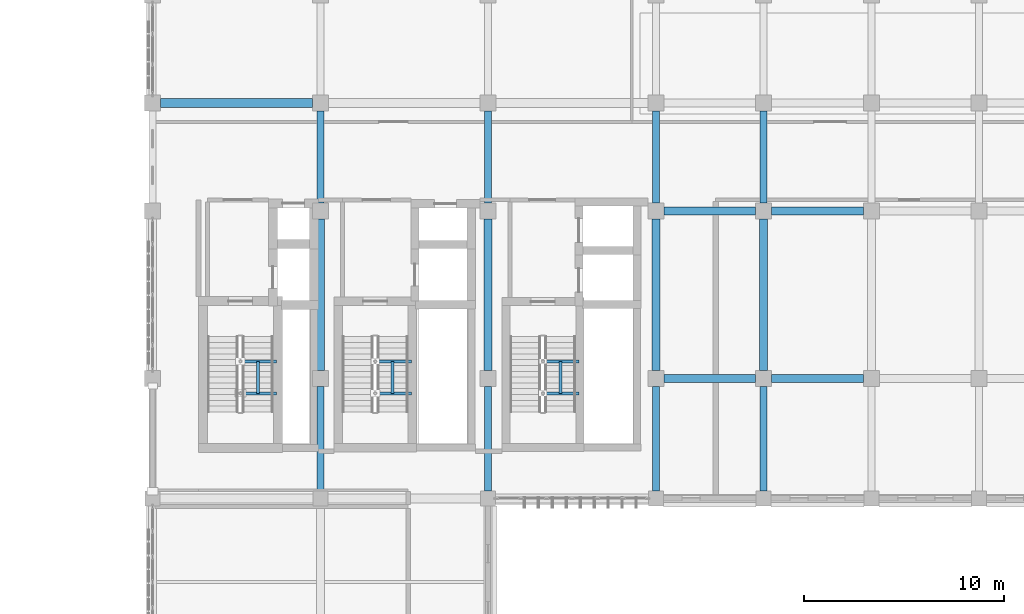
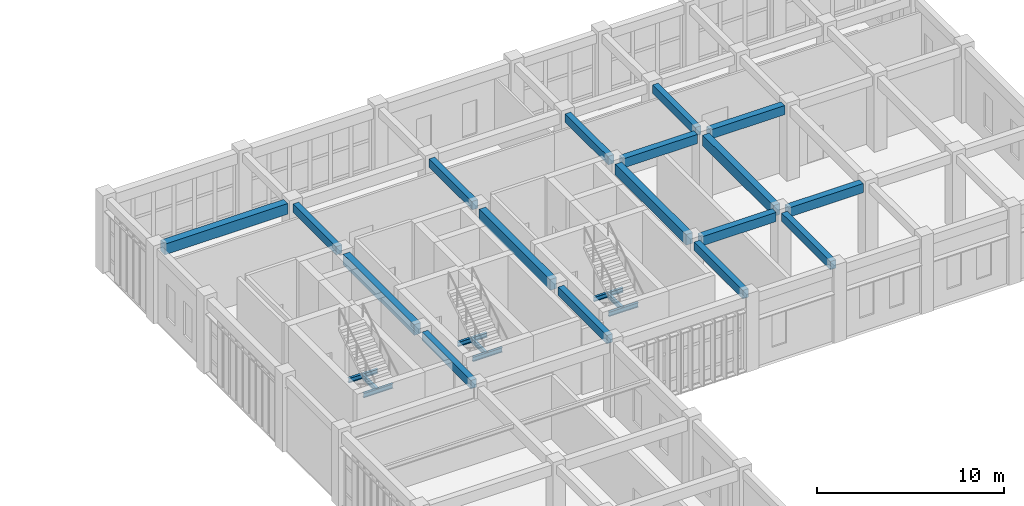
# One storey, part 39 of 77: 26 beams.
"""IFC4 building model written with IfcOpenShell, lengths in metres."""

from ifc_helpers import new_model, si_unit, direction, frame, origin, origin_2d, place, context, subcontext, project, spatial, rectangle, i_section, extrude, material, material_profile, profile_set, type_object, element, save


model = new_model("IFC4")

# Units and contexts
model_context = context("Model", 3, precision=1e-05, world=origin(), true_north=direction((0.0, 1.0)))
body_context = subcontext(model_context, "Body", "Model", "MODEL_VIEW")
ifc_project = project(units=[si_unit("LENGTHUNIT", "METRE"), si_unit("AREAUNIT", "SQUARE_METRE"), si_unit("VOLUMEUNIT", "CUBIC_METRE"), si_unit("PLANEANGLEUNIT", "RADIAN"), si_unit("MASSUNIT", "GRAM", prefix="KILO")], contexts=[model_context])

# Site, building, storey
site_placement = place(None, origin())
site = spatial("IfcSite", under=ifc_project, at=site_placement, CompositionType="ELEMENT")
building_placement = place(site_placement, origin())
building = spatial("IfcBuilding", under=site, at=building_placement, Name="Krzemoval Escarpment Law Courts", CompositionType="ELEMENT")
storey_placement = place(building_placement, frame((0.0, 0.0, 15.300048828125)))
storey = spatial("IfcBuildingStorey", under=building, at=storey_placement, Name="L03", CompositionType="ELEMENT", Elevation=15.300048828125)

# Beams
ifc_material_1 = material(Name="Concrete C40/50", Category="concrete")
ifc_material_profile_1 = material_profile(ifc_material_1, rectangle(XDim=0.35009765625, YDim=0.550048828125, at=origin_2d()), Name="RCB 350x550")
ifc_profile_set_1 = profile_set([ifc_material_profile_1], Name="Concrete C40/50")
beam_type_1 = type_object("IfcBeamType", Name="BM-RC-350x550", PredefinedType="BEAM", material=ifc_profile_set_1)
beam_1_placement = place(storey_placement, frame((134.39990234375, 93.97509765625, 4.56494140625), z_axis=(0.0, 1.0, 0.0), x_axis=(-1.0, 0.0, 0.0)))
element("IfcBeam", 1, at=beam_1_placement, inside=storey, type_object=beam_type_1, Name="Beam FG-L03-2322", PredefinedType="BEAM", context=body_context, shape_type="SweptSolid", body=[
    extrude(rectangle(XDim=0.35009765625, YDim=0.550048828125, at=origin_2d()), origin(), (0.0, 0.0, 1.0), 5.224853515625),
])
beam_2_placement = place(storey_placement, frame((134.39990234375, 108.39990234375, 4.56494140625), z_axis=(0.0, 1.0, 0.0), x_axis=(-1.0, 0.0, 0.0)))
element("IfcBeam", 2, at=beam_2_placement, inside=storey, type_object=beam_type_1, Name="Beam FG-L03-2324", PredefinedType="BEAM", context=body_context, shape_type="SweptSolid", body=[
    extrude(rectangle(XDim=0.35009765625, YDim=0.550048828125, at=origin_2d()), origin(), (0.0, 0.0, 1.0), 4.60009765625),
])
beam_3_placement = place(storey_placement, frame((142.800048828125, 93.97509765625, 4.56494140625), z_axis=(0.0, 1.0, 0.0), x_axis=(-1.0, 0.0, 0.0)))
element("IfcBeam", 3, at=beam_3_placement, inside=storey, type_object=beam_type_1, Name="Beam FG-L03-2333", PredefinedType="BEAM", context=body_context, shape_type="SweptSolid", body=[
    extrude(rectangle(XDim=0.35009765625, YDim=0.550048828125, at=origin_2d()), origin(), (0.0, 0.0, 1.0), 5.224853515625),
])
beam_4_placement = place(storey_placement, frame((142.800048828125, 108.39990234375, 4.56494140625), z_axis=(0.0, 1.0, 0.0), x_axis=(-1.0, 0.0, 0.0)))
element("IfcBeam", 4, at=beam_4_placement, inside=storey, type_object=beam_type_1, Name="Beam FG-L03-2335", PredefinedType="BEAM", context=body_context, shape_type="SweptSolid", body=[
    extrude(rectangle(XDim=0.35009765625, YDim=0.550048828125, at=origin_2d()), origin(), (0.0, 0.0, 1.0), 4.60009765625),
])
beam_5_placement = place(storey_placement, frame((151.199951171875, 93.97509765625, 4.56494140625), z_axis=(0.0, 1.0, 0.0), x_axis=(-1.0, 0.0, 0.0)))
element("IfcBeam", 5, at=beam_5_placement, inside=storey, type_object=beam_type_1, Name="Beam FG-L03-2341", PredefinedType="BEAM", context=body_context, shape_type="SweptSolid", body=[
    extrude(rectangle(XDim=0.35009765625, YDim=0.550048828125, at=origin_2d()), origin(), (0.0, 0.0, 1.0), 5.224853515625),
])
beam_6_placement = place(storey_placement, frame((151.199951171875, 108.39990234375, 4.56494140625), z_axis=(0.0, 1.0, 0.0), x_axis=(-1.0, 0.0, 0.0)))
element("IfcBeam", 6, at=beam_6_placement, inside=storey, type_object=beam_type_1, Name="Beam FG-L03-2343", PredefinedType="BEAM", context=body_context, shape_type="SweptSolid", body=[
    extrude(rectangle(XDim=0.35009765625, YDim=0.550048828125, at=origin_2d()), origin(), (0.0, 0.0, 1.0), 4.60009765625),
])
beam_7_placement = place(storey_placement, frame((156.60009765625, 93.97509765625, 4.56494140625), z_axis=(0.0, 1.0, 0.0), x_axis=(-1.0, 0.0, 0.0)))
element("IfcBeam", 7, at=beam_7_placement, inside=storey, type_object=beam_type_1, Name="Beam FG-L03-2345", PredefinedType="BEAM", context=body_context, shape_type="SweptSolid", body=[
    extrude(rectangle(XDim=0.35009765625, YDim=0.550048828125, at=origin_2d()), origin(), (0.0, 0.0, 1.0), 5.224853515625),
])
beam_8_placement = place(storey_placement, frame((156.60009765625, 108.39990234375, 4.56494140625), z_axis=(0.0, 1.0, 0.0), x_axis=(-1.0, 0.0, 0.0)))
element("IfcBeam", 8, at=beam_8_placement, inside=storey, type_object=beam_type_1, Name="Beam FG-L03-2347", PredefinedType="BEAM", context=body_context, shape_type="SweptSolid", body=[
    extrude(rectangle(XDim=0.35009765625, YDim=0.550048828125, at=origin_2d()), origin(), (0.0, 0.0, 1.0), 4.60009765625),
])
ifc_material_2 = material(Name="Concrete C40/50", Category="concrete")
ifc_material_profile_2 = material_profile(ifc_material_2, rectangle(XDim=0.39990234375, YDim=0.60009765625, at=origin_2d()), Name="RCB 400x600")
ifc_profile_set_2 = profile_set([ifc_material_profile_2], Name="Concrete C40/50")
beam_type_2 = type_object("IfcBeamType", Name="BM-RC-400x600", PredefinedType="BEAM", material=ifc_profile_set_2)
beam_9_placement = place(storey_placement, frame((151.60009765625, 99.60009765625, 4.5400390625), z_axis=(1.0, 0.0, 0.0), x_axis=(0.0, 1.0, 0.0)))
element("IfcBeam", 9, at=beam_9_placement, inside=storey, type_object=beam_type_2, Name="Beam FG-L03-2193", PredefinedType="BEAM", context=body_context, shape_type="SweptSolid", body=[
    extrude(rectangle(XDim=0.39990234375, YDim=0.60009765625, at=origin_2d()), origin(), (0.0, 0.0, 1.0), 4.599853515625),
])
beam_10_placement = place(storey_placement, frame((157.0, 99.60009765625, 4.5400390625), z_axis=(1.0, 0.0, 0.0), x_axis=(0.0, 1.0, 0.0)))
element("IfcBeam", 10, at=beam_10_placement, inside=storey, type_object=beam_type_2, Name="Beam FG-L03-2194", PredefinedType="BEAM", context=body_context, shape_type="SweptSolid", body=[
    extrude(rectangle(XDim=0.39990234375, YDim=0.60009765625, at=origin_2d()), origin(), (0.0, 0.0, 1.0), 4.60009765625),
])
beam_11_placement = place(storey_placement, frame((151.60009765625, 108.0, 4.5400390625), z_axis=(1.0, 0.0, 0.0), x_axis=(0.0, 1.0, 0.0)))
element("IfcBeam", 11, at=beam_11_placement, inside=storey, type_object=beam_type_2, Name="Beam FG-L03-2197", PredefinedType="BEAM", context=body_context, shape_type="SweptSolid", body=[
    extrude(rectangle(XDim=0.39990234375, YDim=0.60009765625, at=origin_2d()), origin(), (0.0, 0.0, 1.0), 4.599853515625),
])
beam_12_placement = place(storey_placement, frame((157.0, 108.0, 4.5400390625), z_axis=(1.0, 0.0, 0.0), x_axis=(0.0, 1.0, 0.0)))
element("IfcBeam", 12, at=beam_12_placement, inside=storey, type_object=beam_type_2, Name="Beam FG-L03-2198", PredefinedType="BEAM", context=body_context, shape_type="SweptSolid", body=[
    extrude(rectangle(XDim=0.39990234375, YDim=0.60009765625, at=origin_2d()), origin(), (0.0, 0.0, 1.0), 4.60009765625),
])
ifc_material_3 = material(Name="Concrete C40/50", Category="concrete")
ifc_material_profile_3 = material_profile(ifc_material_3, rectangle(XDim=0.39990234375, YDim=0.699951171875, at=origin_2d()), Name="RCB 400x700")
ifc_profile_set_3 = profile_set([ifc_material_profile_3], Name="Concrete C40/50")
beam_type_3 = type_object("IfcBeamType", Name="BM-RC-400x700", PredefinedType="BEAM", material=ifc_profile_set_3)
for number, where, z_axis, x_axis, name in (
    (13, (134.39990234375, 100.0, 4.489990234375), (0.0, 1.0, 0.0), (-1.0, 0.0, 0.0), "Beam FG-L03-2323"),
    (14, (142.800048828125, 100.0, 4.489990234375), (0.0, 1.0, 0.0), (-1.0, 0.0, 0.0), "Beam FG-L03-2334"),
    (15, (151.199951171875, 100.0, 4.489990234375), (0.0, 1.0, 0.0), (-1.0, 0.0, 0.0), "Beam FG-L03-2342"),
    (16, (156.60009765625, 100.0, 4.489990234375), (0.0, 1.0, 0.0), (-1.0, 0.0, 0.0), "Beam FG-L03-2346"),
):
    element("IfcBeam", number, at=place(storey_placement, frame(where, z_axis=z_axis, x_axis=x_axis)), inside=storey, type_object=beam_type_3, Name=name, PredefinedType="BEAM", context=body_context, shape_type="SweptSolid", body=[
        extrude(rectangle(XDim=0.39990234375, YDim=0.699951171875, at=origin_2d()), origin(), (0.0, 0.0, 1.0), 7.60009765625),
    ])
ifc_material_4 = material(Name="Concrete C40/50", Category="concrete")
ifc_material_profile_4 = material_profile(ifc_material_4, rectangle(XDim=0.449951171875, YDim=0.699951171875, at=origin_2d()), Name="RCB 450x700")
ifc_profile_set_4 = profile_set([ifc_material_profile_4], Name="Concrete C40/50")
beam_type_4 = type_object("IfcBeamType", Name="BM-RC-450x700", PredefinedType="BEAM", material=ifc_profile_set_4)
beam_13_placement = place(storey_placement, frame((126.39990234375, 113.39990234375, 4.489990234375), z_axis=(1.0, 0.0, 0.0), x_axis=(0.0, 1.0, 0.0)))
element("IfcBeam", 17, at=beam_13_placement, inside=storey, type_object=beam_type_4, Name="Beam FG-L03-2201", PredefinedType="BEAM", context=body_context, shape_type="SweptSolid", body=[
    extrude(rectangle(XDim=0.449951171875, YDim=0.699951171875, at=origin_2d()), origin(), (0.0, 0.0, 1.0), 7.60009765625),
])
ifc_material_5 = material(Name="Steel S355", Category="steel")
ifc_material_profile_5 = material_profile(ifc_material_5, i_section(OverallWidth=0.14990234375, OverallDepth=0.300048828125, WebThickness=0.007080078125, FlangeThickness=0.0107421875, at=origin_2d()), Name="IPE 300")
ifc_profile_set_5 = profile_set([ifc_material_profile_5], Name="Steel S355")
beam_type_5 = type_object("IfcBeamType", Name="JST-S355-IPE300", PredefinedType="JOIST", material=ifc_profile_set_5)
for number, where, z_axis, x_axis, name in (
    (18, (130.39990234375, 98.860107421875, 2.27001953125), (1.0, 0.0, 0.0), (0.0, 1.0, 0.0), "Stair Well Crosshead SLHW-C1-L03-1"),
    (19, (130.39990234375, 100.4599609375, 2.27001953125), (1.0, 0.0, 0.0), (0.0, 1.0, 0.0), "Stair Well Crosshead SLHW-C1-L03-2"),
):
    element("IfcBeam", number, at=place(storey_placement, frame(where, z_axis=z_axis, x_axis=x_axis)), inside=storey, type_object=beam_type_5, Name=name, PredefinedType="JOIST", context=body_context, shape_type="SweptSolid", body=[
        extrude(i_section(OverallWidth=0.14990234375, OverallDepth=0.300048828125, WebThickness=0.007080078125, FlangeThickness=0.0107421875, at=origin_2d()), origin(), (0.0, 0.0, 1.0), 1.81005859375),
    ])
beam_14_placement = place(storey_placement, frame((131.27490234375, 98.860107421875, 2.27001953125), z_axis=(0.0, 1.0, 0.0), x_axis=(-1.0, 0.0, 0.0)))
element("IfcBeam", 20, at=beam_14_placement, inside=storey, type_object=beam_type_5, Name="Stair Flight Support Stringer SLTW-C1-L03", PredefinedType="JOIST", context=body_context, shape_type="SweptSolid", body=[
    extrude(i_section(OverallWidth=0.14990234375, OverallDepth=0.300048828125, WebThickness=0.007080078125, FlangeThickness=0.0107421875, at=origin_2d()), origin(), (0.0, 0.0, 1.0), 1.599853515625),
])
for number, where, z_axis, x_axis, name in (
    (21, (137.14990234375, 98.860107421875, 2.27001953125), (1.0, 0.0, 0.0), (0.0, 1.0, 0.0), "Stair Well Crosshead SLHW-C2-L03-1"),
    (22, (137.14990234375, 100.4599609375, 2.27001953125), (1.0, 0.0, 0.0), (0.0, 1.0, 0.0), "Stair Well Crosshead SLHW-C2-L03-2"),
):
    element("IfcBeam", number, at=place(storey_placement, frame(where, z_axis=z_axis, x_axis=x_axis)), inside=storey, type_object=beam_type_5, Name=name, PredefinedType="JOIST", context=body_context, shape_type="SweptSolid", body=[
        extrude(i_section(OverallWidth=0.14990234375, OverallDepth=0.300048828125, WebThickness=0.007080078125, FlangeThickness=0.0107421875, at=origin_2d()), origin(), (0.0, 0.0, 1.0), 1.81005859375),
    ])
beam_15_placement = place(storey_placement, frame((138.02490234375, 98.860107421875, 2.27001953125), z_axis=(0.0, 1.0, 0.0), x_axis=(-1.0, 0.0, 0.0)))
element("IfcBeam", 23, at=beam_15_placement, inside=storey, type_object=beam_type_5, Name="Stair Flight Support Stringer SLTW-C2-L03", PredefinedType="JOIST", context=body_context, shape_type="SweptSolid", body=[
    extrude(i_section(OverallWidth=0.14990234375, OverallDepth=0.300048828125, WebThickness=0.007080078125, FlangeThickness=0.0107421875, at=origin_2d()), origin(), (0.0, 0.0, 1.0), 1.599853515625),
])
for number, where, z_axis, x_axis, name in (
    (24, (145.550048828125, 98.860107421875, 2.27001953125), (1.0, 0.0, 0.0), (0.0, 1.0, 0.0), "Stair Well Crosshead SLHW-C3-L03-1"),
    (25, (145.550048828125, 100.4599609375, 2.27001953125), (1.0, 0.0, 0.0), (0.0, 1.0, 0.0), "Stair Well Crosshead SLHW-C3-L03-2"),
):
    element("IfcBeam", number, at=place(storey_placement, frame(where, z_axis=z_axis, x_axis=x_axis)), inside=storey, type_object=beam_type_5, Name=name, PredefinedType="JOIST", context=body_context, shape_type="SweptSolid", body=[
        extrude(i_section(OverallWidth=0.14990234375, OverallDepth=0.300048828125, WebThickness=0.007080078125, FlangeThickness=0.0107421875, at=origin_2d()), origin(), (0.0, 0.0, 1.0), 1.81005859375),
    ])
beam_16_placement = place(storey_placement, frame((146.425048828125, 98.860107421875, 2.27001953125), z_axis=(0.0, 1.0, 0.0), x_axis=(-1.0, 0.0, 0.0)))
element("IfcBeam", 26, at=beam_16_placement, inside=storey, type_object=beam_type_5, Name="Stair Flight Support Stringer SLTW-C3-L03", PredefinedType="JOIST", context=body_context, shape_type="SweptSolid", body=[
    extrude(i_section(OverallWidth=0.14990234375, OverallDepth=0.300048828125, WebThickness=0.007080078125, FlangeThickness=0.0107421875, at=origin_2d()), origin(), (0.0, 0.0, 1.0), 1.599853515625),
])

save(model, "model.ifc")
